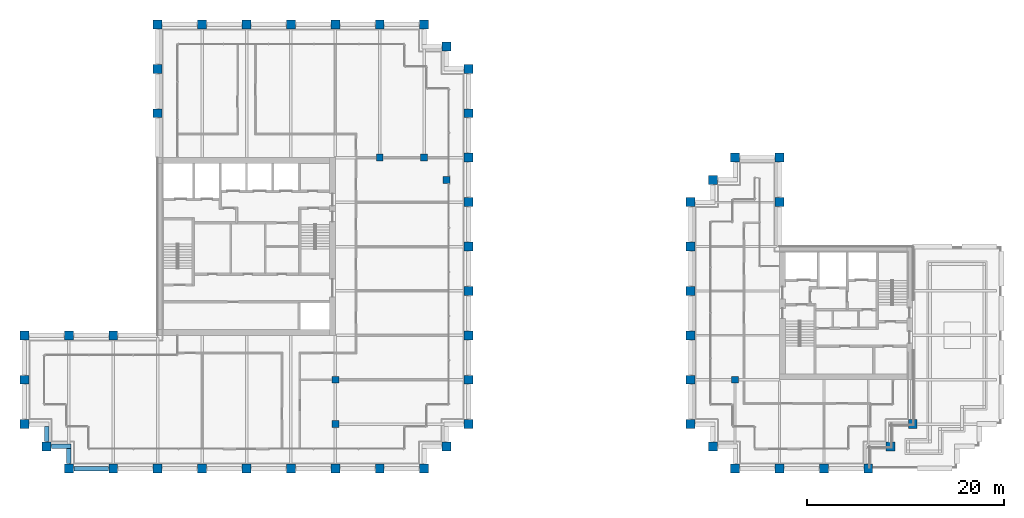
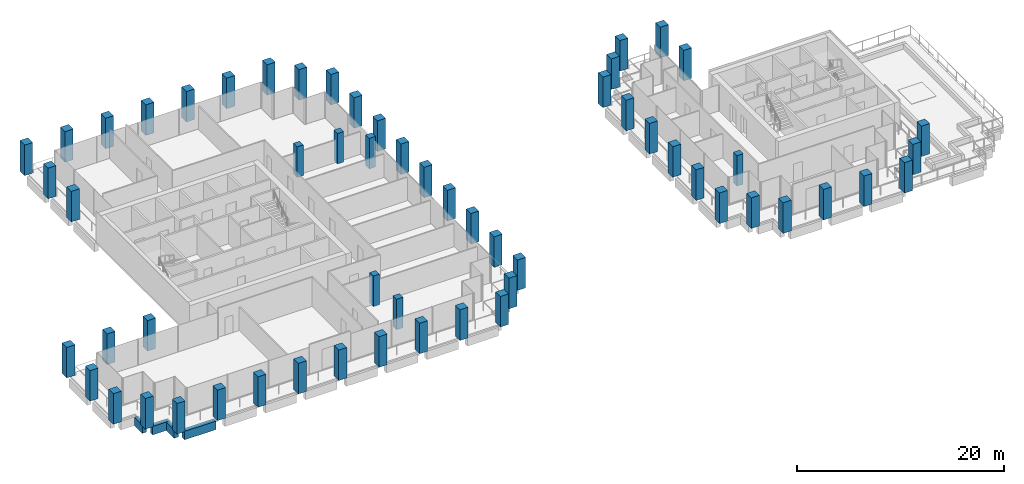
# One storey, part 1 of 44: 58 columns, 4 beams.
"""IFC4 building model written with IfcOpenShell, lengths in metres."""

from ifc_helpers import new_model, si_unit, direction, frame, origin, origin_2d, place, context, subcontext, project, spatial, rectangle, extrude, material, material_profile, profile_set, type_object, element, save


model = new_model("IFC4")

# Units and contexts
model_context = context("Model", 3, precision=1e-05, world=origin(), true_north=direction((0.0, 1.0)))
body_context = subcontext(model_context, "Body", "Model", "MODEL_VIEW")
ifc_project = project(units=[si_unit("LENGTHUNIT", "METRE"), si_unit("AREAUNIT", "SQUARE_METRE"), si_unit("VOLUMEUNIT", "CUBIC_METRE"), si_unit("PLANEANGLEUNIT", "RADIAN"), si_unit("MASSUNIT", "GRAM", prefix="KILO")], contexts=[model_context])

# Site, building, storey
site_placement = place(None, origin())
site = spatial("IfcSite", under=ifc_project, at=site_placement, CompositionType="ELEMENT")
building_placement = place(site_placement, origin())
building = spatial("IfcBuilding", under=site, at=building_placement, Name="Altepetl Exchange Towers", CompositionType="ELEMENT")
storey_placement = place(building_placement, frame((0.0, 0.0, 143.800048828125)))
storey = spatial("IfcBuildingStorey", under=building, at=storey_placement, Name="L35", CompositionType="ELEMENT", Elevation=143.800048828125)

# Columns
ifc_material_1 = material(Name="Concrete C70/85", Category="concrete")
ifc_material_profile_1 = material_profile(ifc_material_1, rectangle(XDim=0.699951171875, YDim=0.699951171875, at=origin_2d()), Name="700 x 700")
ifc_profile_set_1 = profile_set([ifc_material_profile_1], Name="Concrete C70/85")
column_type_1 = type_object("IfcColumnType", Name="Interior column 700", PredefinedType="COLUMN", material=ifc_profile_set_1)
for number, where, name in (
    (1, (58.5, 31.5, 0.0), "col:A:L35:035"),
    (2, (58.5, 36.0, 0.0), "col:A:L35:036"),
    (3, (63.0, 58.5, 0.0), "col:A:L35:037"),
    (4, (67.5, 58.5, 0.0), "col:A:L35:038"),
    (5, (69.75, 56.25, 0.0), "col:A:L35:039"),
    (6, (99.0, 36.0, 0.0), "col:B:L35:017"),
):
    element("IfcColumn", number, at=place(storey_placement, frame(where)), inside=storey, type_object=column_type_1, Name=name, PredefinedType="COLUMN", context=body_context, shape_type="SweptSolid", body=[
        extrude(rectangle(XDim=0.699951171875, YDim=0.699951171875, at=origin_2d()), origin(), (0.0, 0.0, 1.0), 3.599853515625),
    ])
ifc_material_2 = material(Name="Concrete C70/85 precast with cantera amarilla facing", Category="concrete")
ifc_material_profile_2 = material_profile(ifc_material_2, rectangle(XDim=0.89990234375, YDim=0.89990234375, at=origin_2d()), Name="900 x 900")
ifc_profile_set_2 = profile_set([ifc_material_profile_2], Name="Concrete C70/85 precast with cantera amarilla facing")
column_type_2 = type_object("IfcColumnType", Name="Perimeter column 900 cantera amarilla", PredefinedType="COLUMN", material=ifc_profile_set_2)
for number, where, name in (
    (7, (58.5, 27.0, 0.0), "col:A:L35:006"),
    (8, (63.0, 27.0, 0.0), "col:A:L35:007"),
    (9, (67.5, 27.0, 0.0), "col:A:L35:008"),
    (10, (69.75, 29.25, 0.0), "col:A:L35:009"),
    (11, (72.0, 31.5, 0.0), "col:A:L35:010"),
    (12, (72.0, 36.0, 0.0), "col:A:L35:011"),
    (13, (72.0, 40.5, 0.0), "col:A:L35:012"),
    (14, (72.0, 45.0, 0.0), "col:A:L35:013"),
    (15, (72.0, 49.5, 0.0), "col:A:L35:014"),
    (16, (72.0, 54.0, 0.0), "col:A:L35:015"),
):
    element("IfcColumn", number, at=place(storey_placement, frame(where)), inside=storey, type_object=column_type_2, Name=name, PredefinedType="COLUMN", context=body_context, shape_type="SweptSolid", body=[
        extrude(rectangle(XDim=0.89990234375, YDim=0.89990234375, at=origin_2d()), origin(), (0.0, 0.0, 1.0), 3.599853515625),
    ])
ifc_material_3 = material(Name="Concrete C70/85 precast with cantera blanca facing", Category="concrete")
ifc_material_profile_3 = material_profile(ifc_material_3, rectangle(XDim=0.89990234375, YDim=0.89990234375, at=origin_2d()), Name="900 x 900")
ifc_profile_set_3 = profile_set([ifc_material_profile_3], Name="Concrete C70/85 precast with cantera blanca facing")
column_type_3 = type_object("IfcColumnType", Name="Perimeter column 900 cantera blanca", PredefinedType="COLUMN", material=ifc_profile_set_3)
for number, where, name in (
    (17, (31.5, 27.0, 0.0), "col:A:L35:000"),
    (18, (36.0, 27.0, 0.0), "col:A:L35:001"),
    (19, (40.5, 27.0, 0.0), "col:A:L35:002"),
    (20, (45.0, 27.0, 0.0), "col:A:L35:003"),
    (21, (49.5, 27.0, 0.0), "col:A:L35:004"),
    (22, (54.0, 27.0, 0.0), "col:A:L35:005"),
    (23, (27.0, 36.0, 0.0), "col:A:L35:032"),
    (24, (27.0, 31.5, 0.0), "col:A:L35:033"),
    (25, (29.25, 29.25, 0.0), "col:A:L35:034"),
    (26, (117.0, 31.5, 0.0), "col:B:L35:005"),
):
    element("IfcColumn", number, at=place(storey_placement, frame(where)), inside=storey, type_object=column_type_3, Name=name, PredefinedType="COLUMN", context=body_context, shape_type="SweptSolid", body=[
        extrude(rectangle(XDim=0.89990234375, YDim=0.89990234375, at=origin_2d()), origin(), (0.0, 0.0, 1.0), 3.599853515625),
    ])
ifc_material_4 = material(Name="Concrete C70/85 precast with cantera rosa facing", Category="concrete")
ifc_material_profile_4 = material_profile(ifc_material_4, rectangle(XDim=0.89990234375, YDim=0.89990234375, at=origin_2d()), Name="900 x 900")
ifc_profile_set_4 = profile_set([ifc_material_profile_4], Name="Concrete C70/85 precast with cantera rosa facing")
column_type_4 = type_object("IfcColumnType", Name="Perimeter column 900 cantera rosa", PredefinedType="COLUMN", material=ifc_profile_set_4)
for number, where, name in (
    (27, (72.0, 58.5, 0.0), "col:A:L35:016"),
    (28, (72.0, 63.0, 0.0), "col:A:L35:017"),
    (29, (72.0, 67.5, 0.0), "col:A:L35:018"),
    (30, (69.75, 69.75, 0.0), "col:A:L35:019"),
    (31, (67.5, 72.0, 0.0), "col:A:L35:020"),
    (32, (63.0, 72.0, 0.0), "col:A:L35:021"),
    (33, (58.5, 72.0, 0.0), "col:A:L35:022"),
    (34, (54.0, 72.0, 0.0), "col:A:L35:023"),
    (35, (49.5, 72.0, 0.0), "col:A:L35:024"),
    (36, (45.0, 72.0, 0.0), "col:A:L35:025"),
    (37, (103.5, 54.0, 0.0), "col:B:L35:006"),
    (38, (103.5, 58.5, 0.0), "col:B:L35:007"),
    (39, (99.0, 58.5, 0.0), "col:B:L35:008"),
    (40, (96.75, 56.25, 0.0), "col:B:L35:009"),
    (41, (94.5, 54.0, 0.0), "col:B:L35:010"),
    (42, (94.5, 49.5, 0.0), "col:B:L35:011"),
    (43, (94.5, 45.0, 0.0), "col:B:L35:012"),
    (44, (94.5, 40.5, 0.0), "col:B:L35:013"),
    (45, (94.5, 36.0, 0.0), "col:B:L35:014"),
):
    element("IfcColumn", number, at=place(storey_placement, frame(where)), inside=storey, type_object=column_type_4, Name=name, PredefinedType="COLUMN", context=body_context, shape_type="SweptSolid", body=[
        extrude(rectangle(XDim=0.89990234375, YDim=0.89990234375, at=origin_2d()), origin(), (0.0, 0.0, 1.0), 3.599853515625),
    ])
ifc_material_5 = material(Name="Concrete C70/85 precast with tezontle facing", Category="concrete")
ifc_material_profile_5 = material_profile(ifc_material_5, rectangle(XDim=0.89990234375, YDim=0.89990234375, at=origin_2d()), Name="900 x 900")
ifc_profile_set_5 = profile_set([ifc_material_profile_5], Name="Concrete C70/85 precast with tezontle facing")
column_type_5 = type_object("IfcColumnType", Name="Perimeter column 900 tezontle", PredefinedType="COLUMN", material=ifc_profile_set_5)
for number, where, name in (
    (46, (40.5, 72.0, 0.0), "col:A:L35:026"),
    (47, (40.5, 67.5, 0.0), "col:A:L35:027"),
    (48, (40.5, 63.0, 0.0), "col:A:L35:028"),
    (49, (36.0, 40.5, 0.0), "col:A:L35:029"),
    (50, (31.5, 40.5, 0.0), "col:A:L35:030"),
    (51, (27.0, 40.5, 0.0), "col:A:L35:031"),
    (52, (99.0, 27.0, 0.0), "col:B:L35:000"),
    (53, (103.5, 27.0, 0.0), "col:B:L35:001"),
    (54, (108.0, 27.0, 0.0), "col:B:L35:002"),
    (55, (112.5, 27.0, 0.0), "col:B:L35:003"),
    (56, (114.75, 29.25, 0.0), "col:B:L35:004"),
    (57, (94.5, 31.5, 0.0), "col:B:L35:015"),
    (58, (96.75, 29.25, 0.0), "col:B:L35:016"),
):
    element("IfcColumn", number, at=place(storey_placement, frame(where)), inside=storey, type_object=column_type_5, Name=name, PredefinedType="COLUMN", context=body_context, shape_type="SweptSolid", body=[
        extrude(rectangle(XDim=0.89990234375, YDim=0.89990234375, at=origin_2d()), origin(), (0.0, 0.0, 1.0), 3.599853515625),
    ])

# Beams
ifc_material_6 = material(Name="Concrete C50/60 precast with cantera blanca facing", Category="concrete")
ifc_material_profile_6 = material_profile(ifc_material_6, rectangle(XDim=0.449951171875, YDim=1.0, at=origin_2d()), Name="450 x 1000")
ifc_profile_set_6 = profile_set([ifc_material_profile_6], Name="Concrete C50/60 precast with cantera blanca facing")
beam_type = type_object("IfcBeamType", Name="Spandrel beam 450x1000 cantera blanca", PredefinedType="SPANDREL", material=ifc_profile_set_6)
beam_1_placement = place(storey_placement, frame((32.0, 27.0, -0.650146484375), z_axis=(1.0, 0.0, 0.0), x_axis=(0.0, 1.0, 0.0)))
element("IfcBeam", 59, at=beam_1_placement, inside=storey, type_object=beam_type, Name="sp:A:L35:000", PredefinedType="SPANDREL", context=body_context, shape_type="SweptSolid", body=[
    extrude(rectangle(XDim=0.449951171875, YDim=1.0, at=origin_2d()), origin(), (0.0, 0.0, 1.0), 3.5),
])
beam_2_placement = place(storey_placement, frame((29.25, 31.27490234375, -0.650146484375), z_axis=(0.0, -1.0, 0.0), x_axis=(1.0, 0.0, 0.0)))
element("IfcBeam", 60, at=beam_2_placement, inside=storey, type_object=beam_type, Name="sp:A:L35:039", PredefinedType="SPANDREL", context=body_context, shape_type="SweptSolid", body=[
    extrude(rectangle(XDim=0.449951171875, YDim=1.0, at=origin_2d()), origin(), (0.0, 0.0, 1.0), 1.52490234375),
])
beam_3_placement = place(storey_placement, frame((29.75, 29.25, -0.650146484375), z_axis=(1.0, 0.0, 0.0), x_axis=(0.0, 1.0, 0.0)))
element("IfcBeam", 61, at=beam_3_placement, inside=storey, type_object=beam_type, Name="sp:A:L35:040", PredefinedType="SPANDREL", context=body_context, shape_type="SweptSolid", body=[
    extrude(rectangle(XDim=0.449951171875, YDim=1.0, at=origin_2d()), origin(), (0.0, 0.0, 1.0), 1.97509765625),
])
beam_4_placement = place(storey_placement, frame((31.5, 29.02490234375, -0.650146484375), z_axis=(0.0, -1.0, 0.0), x_axis=(1.0, 0.0, 0.0)))
element("IfcBeam", 62, at=beam_4_placement, inside=storey, type_object=beam_type, Name="sp:A:L35:041", PredefinedType="SPANDREL", context=body_context, shape_type="SweptSolid", body=[
    extrude(rectangle(XDim=0.449951171875, YDim=1.0, at=origin_2d()), origin(), (0.0, 0.0, 1.0), 1.52490234375),
])

save(model, "model.ifc")
